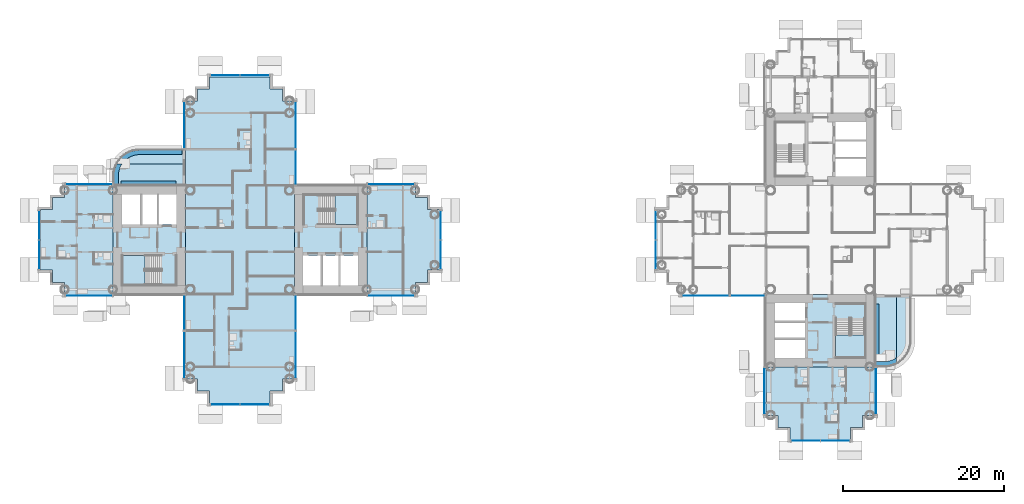
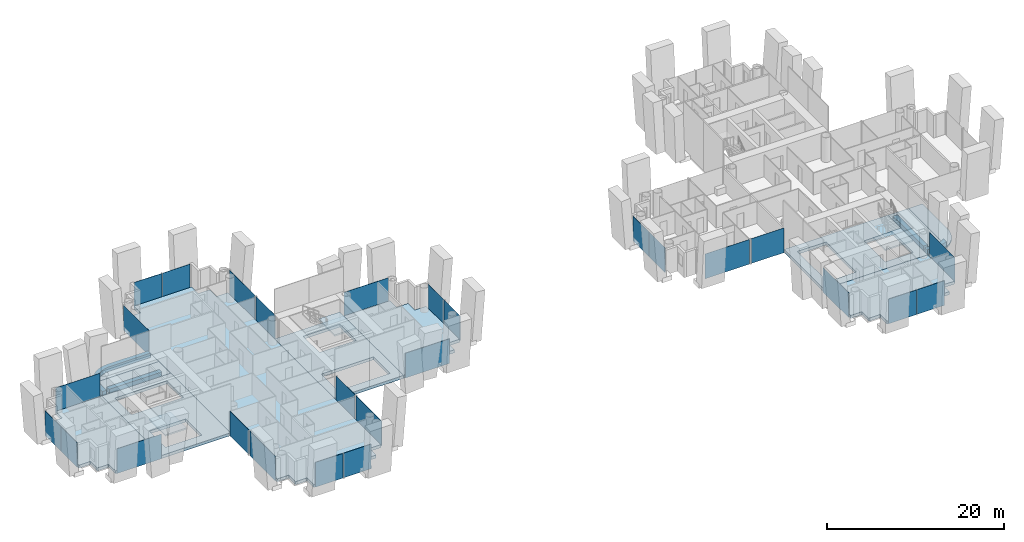
# One storey, part 8 of 25: 27 plates, 19 slabs, 24 elements without a shape of their own.
"""IFC4 building model written with IfcOpenShell, lengths in metres."""

from ifc_helpers import new_model, si_unit, direction, frame, origin, origin_2d, place, context, subcontext, project, spatial, polyline, rectangle, outline, extrude, material, layer, layer_set, type_object, element, aggregate, save


model = new_model("IFC4")

# Units and contexts
model_context = context("Model", 3, precision=1e-05, world=origin(), true_north=direction((0.0, 1.0)))
body_context = subcontext(model_context, "Body", "Model", "MODEL_VIEW")
ifc_project = project(units=[si_unit("LENGTHUNIT", "METRE"), si_unit("AREAUNIT", "SQUARE_METRE"), si_unit("VOLUMEUNIT", "CUBIC_METRE"), si_unit("PLANEANGLEUNIT", "RADIAN"), si_unit("MASSUNIT", "GRAM", prefix="KILO")], contexts=[model_context])

# Site, building, storey
site_placement = place(None, origin())
site = spatial("IfcSite", under=ifc_project, at=site_placement, CompositionType="ELEMENT")
building_placement = place(site_placement, origin())
building = spatial("IfcBuilding", under=site, at=building_placement, Name="Ipe Terrace Towers", CompositionType="ELEMENT")
storey_placement = place(building_placement, frame((0.0, 0.0, 58.5)))
storey = spatial("IfcBuildingStorey", under=building, at=storey_placement, Name="L15", CompositionType="ELEMENT", Elevation=58.5)

# Slabs
ifc_material_1 = material(Name="Concrete C30/37", Category="concrete")
ifc_layer_1 = layer(ifc_material_1, 0.199951171875)
ifc_layer_set_1 = layer_set([ifc_layer_1], Name="BALCONY SLAB 200")
slab_type_1 = type_object("IfcSlabType", Name="BALCONY SLAB 200", PredefinedType="FLOOR", material=ifc_layer_set_1)
slab_1_placement = place(storey_placement, frame((0.0, 0.0, -0.219970703125)))
element("IfcSlab", 1, at=slab_1_placement, inside=storey, type_object=slab_type_1, Name="balcony slab", PredefinedType="FLOOR", context=body_context, shape_type="SweptSolid", body=[
    extrude(outline(polyline([(-51.4990234375, 9.212890625), (-51.637939453125, 8.803955078125), (-51.721923828125, 8.381103515625), (-51.75, 7.949951171875), (-51.75, 6.75), (-42.75, 6.75), (-42.75, 9.449951171875), (-51.382080078125, 9.449951171875), (-51.4990234375, 9.212890625)])), origin(), (0.0, 0.0, 1.0), 0.199951171875),
])
slab_2_placement = place(storey_placement, frame((0.0, 0.0, -0.219970703125)))
element("IfcSlab", 2, at=slab_2_placement, inside=storey, type_object=slab_type_1, Name="balcony slab", PredefinedType="FLOOR", context=body_context, shape_type="SweptSolid", body=[
    extrude(outline(polyline([(-42.75, 11.25), (-48.449951171875, 11.25), (-48.881103515625, 11.221923828125), (-49.303955078125, 11.137939453125), (-49.712890625, 10.9990234375), (-50.10009765625, 10.80810546875), (-50.458984375, 10.568115234375), (-50.782958984375, 10.282958984375), (-51.068115234375, 9.958984375), (-51.30810546875, 9.60009765625), (-51.382080078125, 9.449951171875), (-42.75, 9.449951171875), (-42.75, 11.25)])), origin(), (0.0, 0.0, 1.0), 0.199951171875),
])
slab_3_placement = place(storey_placement, frame((0.0, 0.0, -0.219970703125)))
element("IfcSlab", 3, at=slab_3_placement, inside=storey, type_object=slab_type_1, Name="balcony slab", PredefinedType="FLOOR", context=body_context, shape_type="SweptSolid", body=[
    extrude(outline(polyline([(45.212890625, -15.4990234375), (45.449951171875, -15.382080078125), (45.449951171875, -6.75), (42.75, -6.75), (42.75, -15.75), (43.949951171875, -15.75), (44.381103515625, -15.721923828125), (44.803955078125, -15.637939453125), (45.212890625, -15.4990234375)])), origin(), (0.0, 0.0, 1.0), 0.199951171875),
])
slab_4_placement = place(storey_placement, frame((0.0, 0.0, -0.219970703125)))
element("IfcSlab", 4, at=slab_4_placement, inside=storey, type_object=slab_type_1, Name="balcony slab", PredefinedType="FLOOR", context=body_context, shape_type="SweptSolid", body=[
    extrude(outline(polyline([(47.25, -6.75), (45.449951171875, -6.75), (45.449951171875, -15.382080078125), (45.60009765625, -15.30810546875), (45.958984375, -15.068115234375), (46.282958984375, -14.782958984375), (46.568115234375, -14.458984375), (46.80810546875, -14.10009765625), (46.9990234375, -13.712890625), (47.137939453125, -13.303955078125), (47.221923828125, -12.881103515625), (47.25, -12.449951171875), (47.25, -6.75)])), origin(), (0.0, 0.0, 1.0), 0.199951171875),
])
ifc_material_2 = material(Name="Concrete C30/37", Category="concrete")
ifc_layer_2 = layer(ifc_material_2, 0.39990234375)
ifc_layer_set_2 = layer_set([ifc_layer_2], Name="CORE FLOOR SLAB 400 C30-37")
slab_type_2 = type_object("IfcSlabType", Name="CORE FLOOR SLAB 400 C30-37", PredefinedType="FLOOR", material=ifc_layer_set_2)
slab_5_placement = place(storey_placement, frame((0.0, 0.0, -0.39990234375)))
element("IfcSlab", 5, at=slab_5_placement, inside=storey, type_object=slab_type_2, Name="Core floor T1-C1", PredefinedType="FLOOR", context=body_context, shape_type="SweptSolid", body=[
    extrude(outline(polyline([(-29.25, -6.75), (-29.25, 6.75), (-20.25, 6.75), (-20.25, -6.75), (-29.25, -6.75)]), holes=[polyline([(-28.14990234375, -5.64990234375), (-21.35009765625, -5.64990234375), (-21.35009765625, -1.89990234375), (-28.14990234375, -1.89990234375), (-28.14990234375, -5.64990234375)]), polyline([(-26.199951171875, 5.550048828125), (-26.199951171875, 1.89990234375), (-21.449951171875, 1.89990234375), (-21.449951171875, 5.550048828125), (-26.199951171875, 5.550048828125)])]), origin(), (0.0, 0.0, 1.0), 0.39990234375),
])
slab_6_placement = place(storey_placement, frame((0.0, 0.0, -0.39990234375)))
element("IfcSlab", 6, at=slab_6_placement, inside=storey, type_object=slab_type_2, Name="Core floor T1-C2", PredefinedType="FLOOR", context=body_context, shape_type="SweptSolid", body=[
    extrude(outline(polyline([(-51.75, -6.75), (-51.75, 6.75), (-42.75, 6.75), (-42.75, -6.75), (-51.75, -6.75)]), holes=[polyline([(-45.800048828125, -5.550048828125), (-45.800048828125, -1.89990234375), (-50.550048828125, -1.89990234375), (-50.550048828125, -5.550048828125), (-45.800048828125, -5.550048828125)]), polyline([(-50.64990234375, 1.89990234375), (-43.85009765625, 1.89990234375), (-43.85009765625, 5.64990234375), (-50.64990234375, 5.64990234375), (-50.64990234375, 1.89990234375)])]), origin(), (0.0, 0.0, 1.0), 0.39990234375),
])
slab_7_placement = place(storey_placement, frame((0.0, 0.0, -0.39990234375)))
element("IfcSlab", 7, at=slab_7_placement, inside=storey, type_object=slab_type_2, Name="Core floor T2-C2", PredefinedType="FLOOR", context=body_context, shape_type="SweptSolid", body=[
    extrude(outline(polyline([(29.25, -15.75), (29.25, -6.75), (42.75, -6.75), (42.75, -15.75), (29.25, -15.75)]), holes=[polyline([(34.10009765625, -14.64990234375), (34.10009765625, -7.85009765625), (30.35009765625, -7.85009765625), (30.35009765625, -14.64990234375), (34.10009765625, -14.64990234375)]), polyline([(41.550048828125, -9.800048828125), (37.89990234375, -9.800048828125), (37.89990234375, -14.550048828125), (41.550048828125, -14.550048828125), (41.550048828125, -9.800048828125)])]), origin(), (0.0, 0.0, 1.0), 0.39990234375),
])

# Stair, slab
ifc_material_3 = material(Name="Concrete C30/37", Category="concrete")
stair_type = type_object("IfcStairType", Name="Protected exit stair", PredefinedType="HALF_TURN_STAIR", material=ifc_material_3)
stair_1_placement = place(storey_placement, origin())
stair_1 = element("IfcStair", 8, at=stair_1_placement, inside=storey, type_object=stair_type, Name="L15 Exit stair T1-C1", PredefinedType="HALF_TURN_STAIR")
ifc_material_4 = material(Name="Concrete C30/37", Category="concrete")
ifc_layer_3 = layer(ifc_material_4, 0.199951171875)
ifc_layer_set_3 = layer_set([ifc_layer_3], Name="Exit stair landing 200")
slab_type_3 = type_object("IfcSlabType", Name="Exit stair landing 200", PredefinedType="LANDING", material=ifc_layer_set_3)
slab_8_placement = place(storey_placement, frame((0.0, 0.0, 1.5)))
slab_8 = element("IfcSlab", 9, at=slab_8_placement, type_object=slab_type_3, Name="T1-ST1 landing 1", PredefinedType="LANDING", context=body_context, shape_type="SweptSolid", body=[
    extrude(outline(polyline([(-24.219970703125, 1.89990234375), (-21.449951171875, 1.89990234375), (-21.449951171875, 5.550048828125), (-24.219970703125, 5.550048828125), (-24.219970703125, 1.89990234375)])), origin(), (0.0, 0.0, 1.0), 0.199951171875),
])
aggregate(stair_1, [slab_8])

stair_2_placement = place(storey_placement, origin())
stair_2 = element("IfcStair", 10, at=stair_2_placement, inside=storey, type_object=stair_type, Name="L15 Exit stair T1-C2", PredefinedType="HALF_TURN_STAIR")
slab_9_placement = place(storey_placement, frame((0.0, 0.0, 1.5)))
slab_9 = element("IfcSlab", 11, at=slab_9_placement, type_object=slab_type_3, Name="T1-ST2 landing 1", PredefinedType="LANDING", context=body_context, shape_type="SweptSolid", body=[
    extrude(outline(polyline([(-47.780029296875, -1.89990234375), (-50.550048828125, -1.89990234375), (-50.550048828125, -5.550048828125), (-47.780029296875, -5.550048828125), (-47.780029296875, -1.89990234375)])), origin(), (0.0, 0.0, 1.0), 0.199951171875),
])
aggregate(stair_2, [slab_9])

stair_3_placement = place(storey_placement, origin())
stair_3 = element("IfcStair", 12, at=stair_3_placement, inside=storey, type_object=stair_type, Name="L15 Exit stair T2-C2", PredefinedType="HALF_TURN_STAIR")
slab_10_placement = place(storey_placement, frame((0.0, 0.0, 1.5)))
slab_10 = element("IfcSlab", 13, at=slab_10_placement, type_object=slab_type_3, Name="T2-ST2 landing 1", PredefinedType="LANDING", context=body_context, shape_type="SweptSolid", body=[
    extrude(outline(polyline([(37.89990234375, -11.780029296875), (37.89990234375, -14.550048828125), (41.550048828125, -14.550048828125), (41.550048828125, -11.780029296875), (37.89990234375, -11.780029296875)])), origin(), (0.0, 0.0, 1.0), 0.199951171875),
])
aggregate(stair_3, [slab_10])

# Slabs
ifc_material_5 = material(Name="Concrete C40/50", Category="concrete")
ifc_layer_4 = layer(ifc_material_5, 0.39990234375)
ifc_layer_set_4 = layer_set([ifc_layer_4], Name="FLAT PLATE SLAB 400 C40-50")
slab_type_4 = type_object("IfcSlabType", Name="FLAT PLATE SLAB 400 C40-50", PredefinedType="FLOOR", material=ifc_layer_set_4)
slab_11_placement = place(storey_placement, frame((0.0, 0.0, -0.39990234375)))
element("IfcSlab", 14, at=slab_11_placement, inside=storey, type_object=slab_type_4, Name="Slab T1-FS-Z11", PredefinedType="FLOOR", context=body_context, shape_type="SweptSolid", body=[
    extrude(outline(polyline([(-30.75, -17.25), (-30.75, -18.75), (-32.25, -18.75), (-32.25, -20.25), (-39.75, -20.25), (-39.75, -18.75), (-41.25, -18.75), (-41.25, -17.25), (-42.75, -17.25), (-42.75, -6.75), (-42.75, 6.75), (-42.75, 17.25), (-41.25, 17.25), (-41.25, 18.75), (-39.75, 18.75), (-39.75, 20.25), (-32.25, 20.25), (-32.25, 18.75), (-30.75, 18.75), (-30.75, 17.25), (-29.25, 17.25), (-29.25, 6.75), (-29.25, -6.75), (-29.25, -17.25), (-30.75, -17.25)])), origin(), (0.0, 0.0, 1.0), 0.39990234375),
])
slab_12_placement = place(storey_placement, frame((0.0, 0.0, -0.39990234375)))
element("IfcSlab", 15, at=slab_12_placement, inside=storey, type_object=slab_type_4, Name="Slab T1-FS-Z12", PredefinedType="FLOOR", context=body_context, shape_type="SweptSolid", body=[
    extrude(outline(polyline([(-57.75, -6.75), (-57.75, -5.25), (-59.25, -5.25), (-59.25, -3.75), (-60.75, -3.75), (-60.75, 3.75), (-59.25, 3.75), (-59.25, 5.25), (-57.75, 5.25), (-57.75, 6.75), (-51.75, 6.75), (-51.75, -6.75), (-57.75, -6.75)])), origin(), (0.0, 0.0, 1.0), 0.39990234375),
])
slab_13_placement = place(storey_placement, frame((0.0, 0.0, -0.39990234375)))
element("IfcSlab", 16, at=slab_13_placement, inside=storey, type_object=slab_type_4, Name="Slab T1-FS-Z13", PredefinedType="FLOOR", context=body_context, shape_type="SweptSolid", body=[
    extrude(outline(polyline([(-14.25, 5.25), (-12.75, 5.25), (-12.75, 3.75), (-11.25, 3.75), (-11.25, -3.75), (-12.75, -3.75), (-12.75, -5.25), (-14.25, -5.25), (-14.25, -6.75), (-20.25, -6.75), (-20.25, 6.75), (-14.25, 6.75), (-14.25, 5.25)])), origin(), (0.0, 0.0, 1.0), 0.39990234375),
])
slab_14_placement = place(storey_placement, frame((0.0, 0.0, -0.39990234375)))
element("IfcSlab", 17, at=slab_14_placement, inside=storey, type_object=slab_type_4, Name="Slab T2-FS-Z12", PredefinedType="FLOOR", context=body_context, shape_type="SweptSolid", body=[
    extrude(outline(polyline([(42.75, -21.75), (41.25, -21.75), (41.25, -23.25), (39.75, -23.25), (39.75, -24.75), (32.25, -24.75), (32.25, -23.25), (30.75, -23.25), (30.75, -21.75), (29.25, -21.75), (29.25, -15.75), (42.75, -15.75), (42.75, -21.75)])), origin(), (0.0, 0.0, 1.0), 0.39990234375),
])
ifc_material_6 = material(Name="Concrete C30/37", Category="concrete")
ifc_layer_5 = layer(ifc_material_6, 0.60009765625)
ifc_layer_set_5 = layer_set([ifc_layer_5], Name="PLANTER TROUGH 550 x 600")
slab_type_5 = type_object("IfcSlabType", Name="PLANTER TROUGH 550 x 600", PredefinedType="USERDEFINED", material=ifc_layer_set_5)
slab_15_placement = place(storey_placement, frame((0.0, 0.0, -0.02001953125)))
element("IfcSlab", 18, at=slab_15_placement, inside=storey, type_object=slab_type_5, Name="planter", ObjectType="PLANTER", PredefinedType="USERDEFINED", context=body_context, shape_type="SweptSolid", body=[
    extrude(outline(polyline([(-50.9990234375, 8.633056640625), (-50.887939453125, 8.9599609375), (-50.735107421875, 9.26904296875), (-50.614013671875, 9.449951171875), (-51.259033203125, 9.449951171875), (-51.388916015625, 9.18701171875), (-51.403076171875, 9.154052734375), (-51.52490234375, 8.79296875), (-51.534912109375, 8.758056640625), (-51.60888671875, 8.384033203125), (-51.614013671875, 8.347900390625), (-51.638916015625, 7.955078125), (-51.639892578125, 7.93701171875), (-51.639892578125, 6.75), (-51.090087890625, 6.75), (-51.090087890625, 7.927978515625), (-51.06591796875, 8.2939453125), (-50.9990234375, 8.633056640625)])), origin(), (0.0, 0.0, 1.0), 0.60009765625),
])
slab_16_placement = place(storey_placement, frame((0.0, 0.0, -0.02001953125)))
element("IfcSlab", 19, at=slab_16_placement, inside=storey, type_object=slab_type_5, Name="planter", ObjectType="PLANTER", PredefinedType="USERDEFINED", context=body_context, shape_type="SweptSolid", body=[
    extrude(outline(polyline([(-50.54296875, 9.555908203125), (-50.31591796875, 9.81591796875), (-50.055908203125, 10.04296875), (-49.76904296875, 10.235107421875), (-49.4599609375, 10.387939453125), (-49.133056640625, 10.4990234375), (-48.7939453125, 10.56591796875), (-48.427978515625, 10.590087890625), (-43.199951171875, 10.590087890625), (-43.199951171875, 11.139892578125), (-48.43701171875, 11.139892578125), (-48.455078125, 11.138916015625), (-48.847900390625, 11.114013671875), (-48.884033203125, 11.10888671875), (-49.258056640625, 11.034912109375), (-49.29296875, 11.02490234375), (-49.654052734375, 10.903076171875), (-49.68701171875, 10.888916015625), (-50.029052734375, 10.719970703125), (-50.06005859375, 10.701904296875), (-50.376953125, 10.490966796875), (-50.405029296875, 10.468994140625), (-50.69189453125, 10.217041015625), (-50.717041015625, 10.19189453125), (-50.968994140625, 9.905029296875), (-50.990966796875, 9.876953125), (-51.201904296875, 9.56005859375), (-51.219970703125, 9.529052734375), (-51.259033203125, 9.449951171875), (-50.614013671875, 9.449951171875), (-50.54296875, 9.555908203125)])), origin(), (0.0, 0.0, 1.0), 0.60009765625),
])
slab_17_placement = place(storey_placement, frame((0.0, 0.0, -0.02001953125)))
element("IfcSlab", 20, at=slab_17_placement, inside=storey, type_object=slab_type_5, Name="planter", ObjectType="PLANTER", PredefinedType="USERDEFINED", context=body_context, shape_type="SweptSolid", body=[
    extrude(outline(polyline([(-43.949951171875, 6.75), (-43.949951171875, 7.300048828125), (-50.75, 7.300048828125), (-50.75, 6.75), (-43.949951171875, 6.75)])), origin(), (0.0, 0.0, 1.0), 0.60009765625),
])
slab_18_placement = place(storey_placement, frame((0.0, 0.0, -0.02001953125)))
element("IfcSlab", 21, at=slab_18_placement, inside=storey, type_object=slab_type_5, Name="planter", ObjectType="PLANTER", PredefinedType="USERDEFINED", context=body_context, shape_type="SweptSolid", body=[
    extrude(outline(polyline([(44.633056640625, -14.9990234375), (44.2939453125, -15.06591796875), (43.927978515625, -15.090087890625), (42.75, -15.090087890625), (42.75, -15.639892578125), (43.93701171875, -15.639892578125), (43.955078125, -15.638916015625), (44.347900390625, -15.614013671875), (44.384033203125, -15.60888671875), (44.758056640625, -15.534912109375), (44.79296875, -15.52490234375), (45.154052734375, -15.403076171875), (45.18701171875, -15.388916015625), (45.449951171875, -15.259033203125), (45.449951171875, -14.614013671875), (45.26904296875, -14.735107421875), (44.9599609375, -14.887939453125), (44.633056640625, -14.9990234375)])), origin(), (0.0, 0.0, 1.0), 0.60009765625),
])
slab_19_placement = place(storey_placement, frame((0.0, 0.0, -0.02001953125)))
element("IfcSlab", 22, at=slab_19_placement, inside=storey, type_object=slab_type_5, Name="planter", ObjectType="PLANTER", PredefinedType="USERDEFINED", context=body_context, shape_type="SweptSolid", body=[
    extrude(outline(polyline([(42.75, -7.949951171875), (42.75, -14.75), (43.300048828125, -14.75), (43.300048828125, -7.949951171875), (42.75, -7.949951171875)])), origin(), (0.0, 0.0, 1.0), 0.60009765625),
])

# Curtain wall, plate
ifc_material_7 = material(Name="Aluminium alloy 6063-T6", Category="aluminium")
ifc_layer_6 = layer(ifc_material_7, 0.320068359375)
ifc_layer_set_6 = layer_set([ifc_layer_6], Name="TOWER UNITISED CURTAIN WALL")
curtain_wall_type = type_object("IfcCurtainWallType", Name="TOWER UNITISED CURTAIN WALL", PredefinedType="NOTDEFINED", material=ifc_layer_set_6)
curtain_wall_1_placement = place(storey_placement, origin())
curtain_wall_1 = element("IfcCurtainWall", 23, at=curtain_wall_1_placement, inside=storey, type_object=curtain_wall_type, Name="T1-CW-L15-04a curtain wall", PredefinedType="NOTDEFINED")
ifc_material_8 = material(Name="Glass, clear laminated", Category="glass")
ifc_layer_7 = layer(ifc_material_8, 0.031982421875)
ifc_layer_set_7 = layer_set([ifc_layer_7], Name="TOWER UNITISED GLASS PANEL 32")
plate_type = type_object("IfcPlateType", Name="TOWER UNITISED GLASS PANEL 32", PredefinedType="CURTAIN_PANEL", material=ifc_layer_set_7)
plate_1_placement = place(storey_placement, frame((-54.75048828125, -6.909912109375, -0.300048828125), z_axis=(0.0, 0.0, 1.0), x_axis=(1.0, 0.0, 0.0)))
plate_1 = element("IfcPlate", 24, at=plate_1_placement, type_object=plate_type, Name="T1-CW-L15-04a panel 1", PredefinedType="CURTAIN_PANEL", context=body_context, shape_type="SweptSolid", body=[
    extrude(rectangle(XDim=5.759033203125, YDim=0.031982421875, at=origin_2d()), origin(), (0.0, 0.0, 1.0), 3.39990234375),
])
aggregate(curtain_wall_1, [plate_1])

curtain_wall_2_placement = place(storey_placement, origin())
curtain_wall_2 = element("IfcCurtainWall", 25, at=curtain_wall_2_placement, inside=storey, type_object=curtain_wall_type, Name="T1-CW-L15-06a curtain wall", PredefinedType="NOTDEFINED")
plate_2_placement = place(storey_placement, frame((-42.909912109375, -9.0, -0.300048828125), z_axis=(0.0, 0.0, 1.0), x_axis=(0.0, -1.0, 0.0)))
plate_2 = element("IfcPlate", 26, at=plate_2_placement, type_object=plate_type, Name="T1-CW-L15-06a panel 1", PredefinedType="CURTAIN_PANEL", context=body_context, shape_type="SweptSolid", body=[
    extrude(rectangle(XDim=4.260009765625, YDim=0.031982421875, at=origin_2d()), origin(), (0.0, 0.0, 1.0), 3.39990234375),
])
aggregate(curtain_wall_2, [plate_2])

curtain_wall_3_placement = place(storey_placement, origin())
curtain_wall_3 = element("IfcCurtainWall", 27, at=curtain_wall_3_placement, inside=storey, type_object=curtain_wall_type, Name="T1-CW-L15-07a curtain wall", PredefinedType="NOTDEFINED")
plate_3_placement = place(storey_placement, frame((-42.909912109375, -14.25, -0.300048828125), z_axis=(0.0, 0.0, 1.0), x_axis=(0.0, -1.0, 0.0)))
plate_3 = element("IfcPlate", 28, at=plate_3_placement, type_object=plate_type, Name="T1-CW-L15-07a panel 1", PredefinedType="CURTAIN_PANEL", context=body_context, shape_type="SweptSolid", body=[
    extrude(rectangle(XDim=5.760009765625, YDim=0.031982421875, at=origin_2d()), origin(), (0.0, 0.0, 1.0), 3.39990234375),
])
aggregate(curtain_wall_3, [plate_3])

# Curtain wall, plates
curtain_wall_4_placement = place(storey_placement, origin())
curtain_wall_4 = element("IfcCurtainWall", 29, at=curtain_wall_4_placement, inside=storey, type_object=curtain_wall_type, Name="T1-CW-L15-12a curtain wall", PredefinedType="NOTDEFINED")
plate_4_placement = place(storey_placement, frame((-37.831298828125, -20.409912109375, -0.300048828125), z_axis=(0.0, 0.0, 1.0), x_axis=(1.0, 0.0, 0.0)))
plate_4 = element("IfcPlate", 30, at=plate_4_placement, type_object=plate_type, Name="T1-CW-L15-12a panel 1", PredefinedType="CURTAIN_PANEL", context=body_context, shape_type="SweptSolid", body=[
    extrude(rectangle(XDim=3.597412109375, YDim=0.031982421875, at=origin_2d()), origin(), (0.0, 0.0, 1.0), 3.39990234375),
])
plate_5_placement = place(storey_placement, frame((-34.168701171875, -20.409912109375, -0.300048828125), z_axis=(0.0, 0.0, 1.0), x_axis=(1.0, 0.0, 0.0)))
plate_5 = element("IfcPlate", 31, at=plate_5_placement, type_object=plate_type, Name="T1-CW-L15-12a panel 2", PredefinedType="CURTAIN_PANEL", context=body_context, shape_type="SweptSolid", body=[
    extrude(rectangle(XDim=3.597412109375, YDim=0.031982421875, at=origin_2d()), origin(), (0.0, 0.0, 1.0), 3.39990234375),
])
aggregate(curtain_wall_4, [plate_4, plate_5])

# Curtain wall, plate
curtain_wall_5_placement = place(storey_placement, origin())
curtain_wall_5 = element("IfcCurtainWall", 32, at=curtain_wall_5_placement, inside=storey, type_object=curtain_wall_type, Name="T1-CW-L15-17a curtain wall", PredefinedType="NOTDEFINED")
plate_6_placement = place(storey_placement, frame((-29.090087890625, -14.25, -0.300048828125), z_axis=(0.0, 0.0, 1.0), x_axis=(0.0, 1.0, 0.0)))
plate_6 = element("IfcPlate", 33, at=plate_6_placement, type_object=plate_type, Name="T1-CW-L15-17a panel 1", PredefinedType="CURTAIN_PANEL", context=body_context, shape_type="SweptSolid", body=[
    extrude(rectangle(XDim=5.760009765625, YDim=0.031982421875, at=origin_2d()), origin(), (0.0, 0.0, 1.0), 3.39990234375),
])
aggregate(curtain_wall_5, [plate_6])

curtain_wall_6_placement = place(storey_placement, origin())
curtain_wall_6 = element("IfcCurtainWall", 34, at=curtain_wall_6_placement, inside=storey, type_object=curtain_wall_type, Name="T1-CW-L15-18a curtain wall", PredefinedType="NOTDEFINED")
plate_7_placement = place(storey_placement, frame((-29.090087890625, -9.0, -0.300048828125), z_axis=(0.0, 0.0, 1.0), x_axis=(0.0, 1.0, 0.0)))
plate_7 = element("IfcPlate", 35, at=plate_7_placement, type_object=plate_type, Name="T1-CW-L15-18a panel 1", PredefinedType="CURTAIN_PANEL", context=body_context, shape_type="SweptSolid", body=[
    extrude(rectangle(XDim=4.260009765625, YDim=0.031982421875, at=origin_2d()), origin(), (0.0, 0.0, 1.0), 3.39990234375),
])
aggregate(curtain_wall_6, [plate_7])

curtain_wall_7_placement = place(storey_placement, origin())
curtain_wall_7 = element("IfcCurtainWall", 36, at=curtain_wall_7_placement, inside=storey, type_object=curtain_wall_type, Name="T1-CW-L15-20b curtain wall", PredefinedType="NOTDEFINED")
plate_8_placement = place(storey_placement, frame((-17.24951171875, -6.909912109375, -0.300048828125), z_axis=(0.0, 0.0, 1.0), x_axis=(1.0, 0.0, 0.0)))
plate_8 = element("IfcPlate", 37, at=plate_8_placement, type_object=plate_type, Name="T1-CW-L15-20b panel 1", PredefinedType="CURTAIN_PANEL", context=body_context, shape_type="SweptSolid", body=[
    extrude(rectangle(XDim=5.759033203125, YDim=0.031982421875, at=origin_2d()), origin(), (0.0, 0.0, 1.0), 3.39990234375),
])
aggregate(curtain_wall_7, [plate_8])

# Curtain wall, plates
curtain_wall_8_placement = place(storey_placement, origin())
curtain_wall_8 = element("IfcCurtainWall", 38, at=curtain_wall_8_placement, inside=storey, type_object=curtain_wall_type, Name="T1-CW-L15-25a curtain wall", PredefinedType="NOTDEFINED")
plate_9_placement = place(storey_placement, frame((-11.090087890625, -1.831298828125, -0.300048828125), z_axis=(0.0, 0.0, 1.0), x_axis=(0.0, 1.0, 0.0)))
plate_9 = element("IfcPlate", 39, at=plate_9_placement, type_object=plate_type, Name="T1-CW-L15-25a panel 1", PredefinedType="CURTAIN_PANEL", context=body_context, shape_type="SweptSolid", body=[
    extrude(rectangle(XDim=3.597412109375, YDim=0.031982421875, at=origin_2d()), origin(), (0.0, 0.0, 1.0), 3.39990234375),
])
plate_10_placement = place(storey_placement, frame((-11.090087890625, 1.831298828125, -0.300048828125), z_axis=(0.0, 0.0, 1.0), x_axis=(0.0, 1.0, 0.0)))
plate_10 = element("IfcPlate", 40, at=plate_10_placement, type_object=plate_type, Name="T1-CW-L15-25a panel 2", PredefinedType="CURTAIN_PANEL", context=body_context, shape_type="SweptSolid", body=[
    extrude(rectangle(XDim=3.597412109375, YDim=0.031982421875, at=origin_2d()), origin(), (0.0, 0.0, 1.0), 3.39990234375),
])
aggregate(curtain_wall_8, [plate_9, plate_10])

# Curtain wall, plate
curtain_wall_9_placement = place(storey_placement, origin())
curtain_wall_9 = element("IfcCurtainWall", 41, at=curtain_wall_9_placement, inside=storey, type_object=curtain_wall_type, Name="T1-CW-L15-30a curtain wall", PredefinedType="NOTDEFINED")
plate_11_placement = place(storey_placement, frame((-17.24951171875, 6.909912109375, -0.300048828125), z_axis=(0.0, 0.0, 1.0), x_axis=(-1.0, 0.0, 0.0)))
plate_11 = element("IfcPlate", 42, at=plate_11_placement, type_object=plate_type, Name="T1-CW-L15-30a panel 1", PredefinedType="CURTAIN_PANEL", context=body_context, shape_type="SweptSolid", body=[
    extrude(rectangle(XDim=5.759033203125, YDim=0.031982421875, at=origin_2d()), origin(), (0.0, 0.0, 1.0), 3.39990234375),
])
aggregate(curtain_wall_9, [plate_11])

curtain_wall_10_placement = place(storey_placement, origin())
curtain_wall_10 = element("IfcCurtainWall", 43, at=curtain_wall_10_placement, inside=storey, type_object=curtain_wall_type, Name="T1-CW-L15-32a curtain wall", PredefinedType="NOTDEFINED")
plate_12_placement = place(storey_placement, frame((-29.090087890625, 9.0, -0.300048828125), z_axis=(0.0, 0.0, 1.0), x_axis=(0.0, 1.0, 0.0)))
plate_12 = element("IfcPlate", 44, at=plate_12_placement, type_object=plate_type, Name="T1-CW-L15-32a panel 1", PredefinedType="CURTAIN_PANEL", context=body_context, shape_type="SweptSolid", body=[
    extrude(rectangle(XDim=4.260009765625, YDim=0.031982421875, at=origin_2d()), origin(), (0.0, 0.0, 1.0), 3.39990234375),
])
aggregate(curtain_wall_10, [plate_12])

curtain_wall_11_placement = place(storey_placement, origin())
curtain_wall_11 = element("IfcCurtainWall", 45, at=curtain_wall_11_placement, inside=storey, type_object=curtain_wall_type, Name="T1-CW-L15-33a curtain wall", PredefinedType="NOTDEFINED")
plate_13_placement = place(storey_placement, frame((-29.090087890625, 14.25, -0.300048828125), z_axis=(0.0, 0.0, 1.0), x_axis=(0.0, 1.0, 0.0)))
plate_13 = element("IfcPlate", 46, at=plate_13_placement, type_object=plate_type, Name="T1-CW-L15-33a panel 1", PredefinedType="CURTAIN_PANEL", context=body_context, shape_type="SweptSolid", body=[
    extrude(rectangle(XDim=5.760009765625, YDim=0.031982421875, at=origin_2d()), origin(), (0.0, 0.0, 1.0), 3.39990234375),
])
aggregate(curtain_wall_11, [plate_13])

# Curtain wall, plates
curtain_wall_12_placement = place(storey_placement, origin())
curtain_wall_12 = element("IfcCurtainWall", 47, at=curtain_wall_12_placement, inside=storey, type_object=curtain_wall_type, Name="T1-CW-L15-38a curtain wall", PredefinedType="NOTDEFINED")
plate_14_placement = place(storey_placement, frame((-34.168701171875, 20.409912109375, -0.300048828125), z_axis=(0.0, 0.0, 1.0), x_axis=(-1.0, 0.0, 0.0)))
plate_14 = element("IfcPlate", 48, at=plate_14_placement, type_object=plate_type, Name="T1-CW-L15-38a panel 1", PredefinedType="CURTAIN_PANEL", context=body_context, shape_type="SweptSolid", body=[
    extrude(rectangle(XDim=3.597412109375, YDim=0.031982421875, at=origin_2d()), origin(), (0.0, 0.0, 1.0), 3.39990234375),
])
plate_15_placement = place(storey_placement, frame((-37.831298828125, 20.409912109375, -0.300048828125), z_axis=(0.0, 0.0, 1.0), x_axis=(-1.0, 0.0, 0.0)))
plate_15 = element("IfcPlate", 49, at=plate_15_placement, type_object=plate_type, Name="T1-CW-L15-38a panel 2", PredefinedType="CURTAIN_PANEL", context=body_context, shape_type="SweptSolid", body=[
    extrude(rectangle(XDim=3.597412109375, YDim=0.031982421875, at=origin_2d()), origin(), (0.0, 0.0, 1.0), 3.39990234375),
])
aggregate(curtain_wall_12, [plate_14, plate_15])

# Curtain wall, plate
curtain_wall_13_placement = place(storey_placement, origin())
curtain_wall_13 = element("IfcCurtainWall", 50, at=curtain_wall_13_placement, inside=storey, type_object=curtain_wall_type, Name="T1-CW-L15-43a curtain wall", PredefinedType="NOTDEFINED")
plate_16_placement = place(storey_placement, frame((-42.909912109375, 14.25, -0.300048828125), z_axis=(0.0, 0.0, 1.0), x_axis=(0.0, -1.0, 0.0)))
plate_16 = element("IfcPlate", 51, at=plate_16_placement, type_object=plate_type, Name="T1-CW-L15-43a panel 1", PredefinedType="CURTAIN_PANEL", context=body_context, shape_type="SweptSolid", body=[
    extrude(rectangle(XDim=5.760009765625, YDim=0.031982421875, at=origin_2d()), origin(), (0.0, 0.0, 1.0), 3.39990234375),
])
aggregate(curtain_wall_13, [plate_16])

curtain_wall_14_placement = place(storey_placement, origin())
curtain_wall_14 = element("IfcCurtainWall", 52, at=curtain_wall_14_placement, inside=storey, type_object=curtain_wall_type, Name="T1-CW-L15-46b curtain wall", PredefinedType="NOTDEFINED")
plate_17_placement = place(storey_placement, frame((-54.75048828125, 6.909912109375, -0.300048828125), z_axis=(0.0, 0.0, 1.0), x_axis=(-1.0, 0.0, 0.0)))
plate_17 = element("IfcPlate", 53, at=plate_17_placement, type_object=plate_type, Name="T1-CW-L15-46b panel 1", PredefinedType="CURTAIN_PANEL", context=body_context, shape_type="SweptSolid", body=[
    extrude(rectangle(XDim=5.759033203125, YDim=0.031982421875, at=origin_2d()), origin(), (0.0, 0.0, 1.0), 3.39990234375),
])
aggregate(curtain_wall_14, [plate_17])

# Curtain wall, plates
curtain_wall_15_placement = place(storey_placement, origin())
curtain_wall_15 = element("IfcCurtainWall", 54, at=curtain_wall_15_placement, inside=storey, type_object=curtain_wall_type, Name="T1-CW-L15-51a curtain wall", PredefinedType="NOTDEFINED")
plate_18_placement = place(storey_placement, frame((-60.909912109375, 1.831298828125, -0.300048828125), z_axis=(0.0, 0.0, 1.0), x_axis=(0.0, -1.0, 0.0)))
plate_18 = element("IfcPlate", 55, at=plate_18_placement, type_object=plate_type, Name="T1-CW-L15-51a panel 1", PredefinedType="CURTAIN_PANEL", context=body_context, shape_type="SweptSolid", body=[
    extrude(rectangle(XDim=3.597412109375, YDim=0.031982421875, at=origin_2d()), origin(), (0.0, 0.0, 1.0), 3.39990234375),
])
plate_19_placement = place(storey_placement, frame((-60.909912109375, -1.831298828125, -0.300048828125), z_axis=(0.0, 0.0, 1.0), x_axis=(0.0, -1.0, 0.0)))
plate_19 = element("IfcPlate", 56, at=plate_19_placement, type_object=plate_type, Name="T1-CW-L15-51a panel 2", PredefinedType="CURTAIN_PANEL", context=body_context, shape_type="SweptSolid", body=[
    extrude(rectangle(XDim=3.597412109375, YDim=0.031982421875, at=origin_2d()), origin(), (0.0, 0.0, 1.0), 3.39990234375),
])
aggregate(curtain_wall_15, [plate_18, plate_19])

# Curtain wall, plate
curtain_wall_16_placement = place(storey_placement, origin())
curtain_wall_16 = element("IfcCurtainWall", 57, at=curtain_wall_16_placement, inside=storey, type_object=curtain_wall_type, Name="T2-CW-L15-04a curtain wall", PredefinedType="NOTDEFINED")
plate_20_placement = place(storey_placement, frame((42.909912109375, -18.75048828125, -0.300048828125), z_axis=(0.0, 0.0, 1.0), x_axis=(0.0, 1.0, 0.0)))
plate_20 = element("IfcPlate", 58, at=plate_20_placement, type_object=plate_type, Name="T2-CW-L15-04a panel 1", PredefinedType="CURTAIN_PANEL", context=body_context, shape_type="SweptSolid", body=[
    extrude(rectangle(XDim=5.759033203125, YDim=0.031982421875, at=origin_2d()), origin(), (0.0, 0.0, 1.0), 3.39990234375),
])
aggregate(curtain_wall_16, [plate_20])

# Curtain wall, plates
curtain_wall_17_placement = place(storey_placement, origin())
curtain_wall_17 = element("IfcCurtainWall", 59, at=curtain_wall_17_placement, inside=storey, type_object=curtain_wall_type, Name="T2-CW-L15-38a curtain wall", PredefinedType="NOTDEFINED")
plate_21_placement = place(storey_placement, frame((15.590087890625, 1.831298828125, -0.300048828125), z_axis=(0.0, 0.0, 1.0), x_axis=(0.0, -1.0, 0.0)))
plate_21 = element("IfcPlate", 60, at=plate_21_placement, type_object=plate_type, Name="T2-CW-L15-38a panel 1", PredefinedType="CURTAIN_PANEL", context=body_context, shape_type="SweptSolid", body=[
    extrude(rectangle(XDim=3.597412109375, YDim=0.031982421875, at=origin_2d()), origin(), (0.0, 0.0, 1.0), 3.39990234375),
])
plate_22_placement = place(storey_placement, frame((15.590087890625, -1.831298828125, -0.300048828125), z_axis=(0.0, 0.0, 1.0), x_axis=(0.0, -1.0, 0.0)))
plate_22 = element("IfcPlate", 61, at=plate_22_placement, type_object=plate_type, Name="T2-CW-L15-38a panel 2", PredefinedType="CURTAIN_PANEL", context=body_context, shape_type="SweptSolid", body=[
    extrude(rectangle(XDim=3.597412109375, YDim=0.031982421875, at=origin_2d()), origin(), (0.0, 0.0, 1.0), 3.39990234375),
])
aggregate(curtain_wall_17, [plate_21, plate_22])

# Curtain wall, plate
curtain_wall_18_placement = place(storey_placement, origin())
curtain_wall_18 = element("IfcCurtainWall", 62, at=curtain_wall_18_placement, inside=storey, type_object=curtain_wall_type, Name="T2-CW-L15-43a curtain wall", PredefinedType="NOTDEFINED")
plate_23_placement = place(storey_placement, frame((21.75, -6.909912109375, -0.300048828125), z_axis=(0.0, 0.0, 1.0), x_axis=(1.0, 0.0, 0.0)))
plate_23 = element("IfcPlate", 63, at=plate_23_placement, type_object=plate_type, Name="T2-CW-L15-43a panel 1", PredefinedType="CURTAIN_PANEL", context=body_context, shape_type="SweptSolid", body=[
    extrude(rectangle(XDim=5.760009765625, YDim=0.031982421875, at=origin_2d()), origin(), (0.0, 0.0, 1.0), 3.39990234375),
])
aggregate(curtain_wall_18, [plate_23])

curtain_wall_19_placement = place(storey_placement, origin())
curtain_wall_19 = element("IfcCurtainWall", 64, at=curtain_wall_19_placement, inside=storey, type_object=curtain_wall_type, Name="T2-CW-L15-44a curtain wall", PredefinedType="NOTDEFINED")
plate_24_placement = place(storey_placement, frame((27.0, -6.909912109375, -0.300048828125), z_axis=(0.0, 0.0, 1.0), x_axis=(1.0, 0.0, 0.0)))
plate_24 = element("IfcPlate", 65, at=plate_24_placement, type_object=plate_type, Name="T2-CW-L15-44a panel 1", PredefinedType="CURTAIN_PANEL", context=body_context, shape_type="SweptSolid", body=[
    extrude(rectangle(XDim=4.260009765625, YDim=0.031982421875, at=origin_2d()), origin(), (0.0, 0.0, 1.0), 3.39990234375),
])
aggregate(curtain_wall_19, [plate_24])

curtain_wall_20_placement = place(storey_placement, origin())
curtain_wall_20 = element("IfcCurtainWall", 66, at=curtain_wall_20_placement, inside=storey, type_object=curtain_wall_type, Name="T2-CW-L15-46b curtain wall", PredefinedType="NOTDEFINED")
plate_25_placement = place(storey_placement, frame((29.090087890625, -18.75048828125, -0.300048828125), z_axis=(0.0, 0.0, 1.0), x_axis=(0.0, -1.0, 0.0)))
plate_25 = element("IfcPlate", 67, at=plate_25_placement, type_object=plate_type, Name="T2-CW-L15-46b panel 1", PredefinedType="CURTAIN_PANEL", context=body_context, shape_type="SweptSolid", body=[
    extrude(rectangle(XDim=5.759033203125, YDim=0.031982421875, at=origin_2d()), origin(), (0.0, 0.0, 1.0), 3.39990234375),
])
aggregate(curtain_wall_20, [plate_25])

# Curtain wall, plates
curtain_wall_21_placement = place(storey_placement, origin())
curtain_wall_21 = element("IfcCurtainWall", 68, at=curtain_wall_21_placement, inside=storey, type_object=curtain_wall_type, Name="T2-CW-L15-51a curtain wall", PredefinedType="NOTDEFINED")
plate_26_placement = place(storey_placement, frame((34.168701171875, -24.909912109375, -0.300048828125), z_axis=(0.0, 0.0, 1.0), x_axis=(1.0, 0.0, 0.0)))
plate_26 = element("IfcPlate", 69, at=plate_26_placement, type_object=plate_type, Name="T2-CW-L15-51a panel 1", PredefinedType="CURTAIN_PANEL", context=body_context, shape_type="SweptSolid", body=[
    extrude(rectangle(XDim=3.597412109375, YDim=0.031982421875, at=origin_2d()), origin(), (0.0, 0.0, 1.0), 3.39990234375),
])
plate_27_placement = place(storey_placement, frame((37.831298828125, -24.909912109375, -0.300048828125), z_axis=(0.0, 0.0, 1.0), x_axis=(1.0, 0.0, 0.0)))
plate_27 = element("IfcPlate", 70, at=plate_27_placement, type_object=plate_type, Name="T2-CW-L15-51a panel 2", PredefinedType="CURTAIN_PANEL", context=body_context, shape_type="SweptSolid", body=[
    extrude(rectangle(XDim=3.597412109375, YDim=0.031982421875, at=origin_2d()), origin(), (0.0, 0.0, 1.0), 3.39990234375),
])
aggregate(curtain_wall_21, [plate_26, plate_27])

save(model, "model.ifc")
